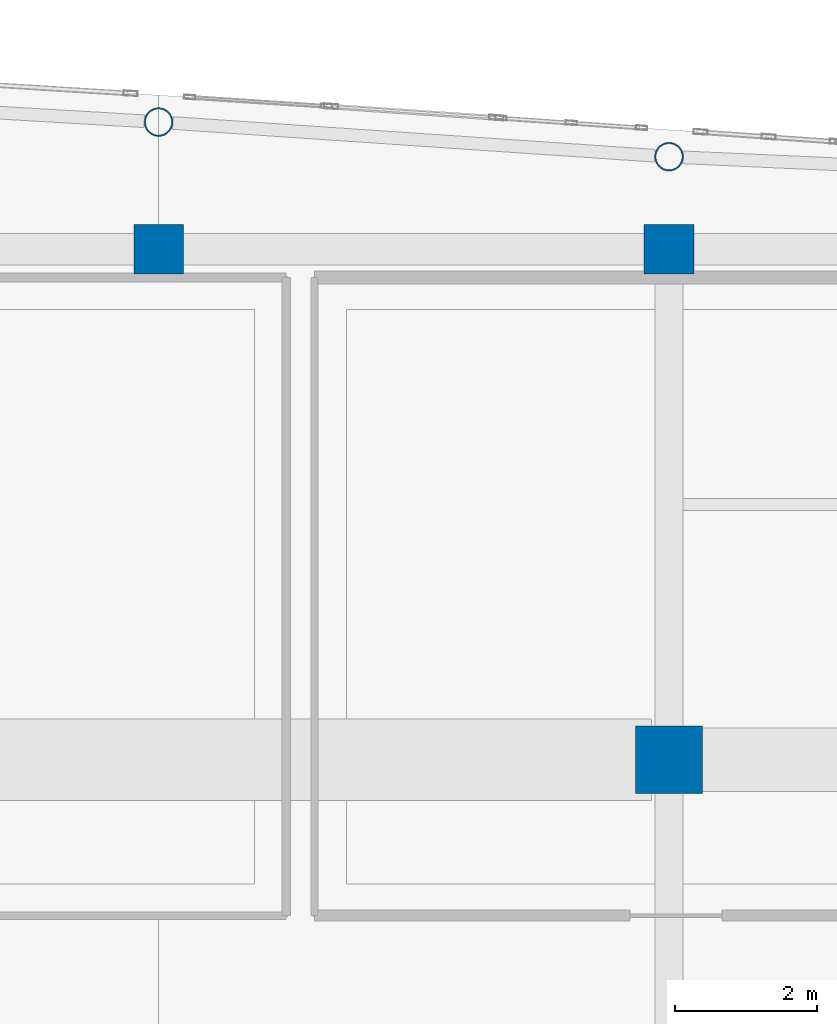
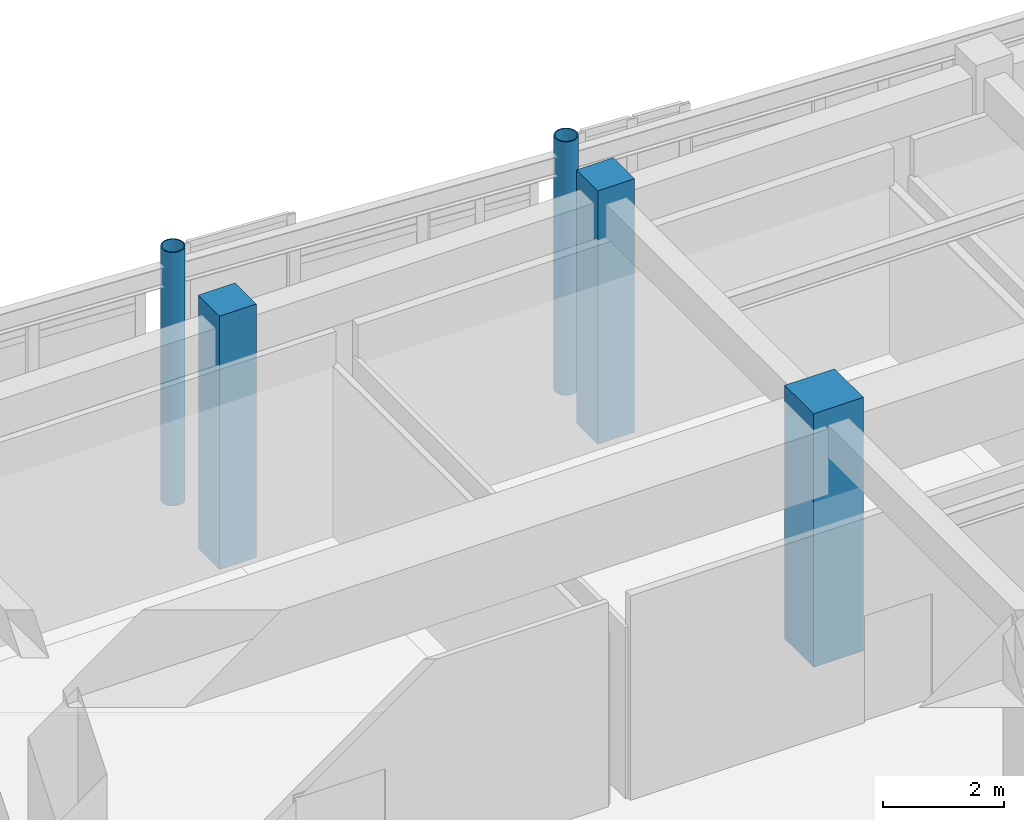
# One storey, part 10 of 117: 5 columns.
"""IFC4 building model written with IfcOpenShell, lengths in metres."""

import ifcopenshell
import ifcopenshell.guid

model = None  # the IFC model being written
_history = None  # IfcOwnerHistory: only IFC2X3 demands one
_inside = {}  # id of a spatial element -> (the spatial element, [elements in it])
_under = {}  # id of a project, library or spatial element -> (it, [spatial elements below it])
_declared = {}  # id of a project -> (the project, [libraries it declares])
_typed = {}  # id of a type object -> (the type object, [elements of that type])
_made_of = {}  # id of a material, layer set ... -> (it, [elements and type objects made of it])


def new_model(schema):
    """Start an empty IFC model of exactly this schema.

    Asked for "IFC4X3", IfcOpenShell would pick the latest addendum, in which some entities
    have other attributes; the version numbers below select the first issue.
    IFC2X3 requires an IfcOwnerHistory on every rooted entity: one is made here for all.
    """
    global model, _history
    if schema == "IFC4X3":
        model = ifcopenshell.file(schema_version=(4, 3, 0, 0))
    else:
        model = ifcopenshell.file(schema=schema)
    _inside.clear()
    _under.clear()
    _declared.clear()
    _typed.clear()
    _made_of.clear()
    _history = None
    if model.schema == "IFC2X3":
        org = make("IfcOrganization", Name="unknown")
        user = make(
            "IfcPersonAndOrganization",
            ThePerson=make("IfcPerson", FamilyName="unknown"),
            TheOrganization=org,
        )
        app = make(
            "IfcApplication",
            ApplicationDeveloper=org,
            Version="unknown",
            ApplicationFullName="unknown",
            ApplicationIdentifier="unknown",
        )
        _history = make(
            "IfcOwnerHistory",
            OwningUser=user,
            OwningApplication=app,
            ChangeAction="ADDED",
            CreationDate=0,
        )
    return model


def make(cls, **values):
    """One entity of the class cls with the attributes given. An attribute that is None is left unset."""
    return model.create_entity(
        cls, **{name: value for name, value in values.items() if value is not None}
    )


def rooted(cls, **values):
    """An entity with a GlobalId (a new one), such as an element, a storey or a relation."""
    return make(cls, GlobalId=ifcopenshell.guid.new(), OwnerHistory=_history, **values)


def si_unit(unit_type, name, prefix=None):
    """IfcSIUnit, for example si_unit("LENGTHUNIT", "METRE", prefix="MILLI")."""
    return make("IfcSIUnit", UnitType=unit_type, Prefix=prefix, Name=name)


def assignment(units):
    """IfcUnitAssignment: the units of a project."""
    return None if units is None else make("IfcUnitAssignment", Units=units)


def point(xyz):
    """IfcCartesianPoint."""
    return None if xyz is None else make("IfcCartesianPoint", Coordinates=xyz)


def direction(xyz):
    """IfcDirection."""
    return None if xyz is None else make("IfcDirection", DirectionRatios=xyz)


def frame(location, z_axis=None, x_axis=None):
    """IfcAxis2Placement3D, a coordinate frame: its origin and axes. An axis left out is left unset."""
    return make(
        "IfcAxis2Placement3D",
        Location=point(location),
        Axis=direction(z_axis),
        RefDirection=direction(x_axis),
    )


def frame_2d(location, x_axis=None):
    """IfcAxis2Placement2D, a coordinate frame in the plane: its origin and x axis."""
    return make(
        "IfcAxis2Placement2D", Location=point(location), RefDirection=direction(x_axis)
    )


def origin():
    """The frame at (0, 0, 0) with its axes left unset."""
    return frame((0.0, 0.0, 0.0))


def origin_2d():
    """The frame at (0, 0) in the plane with its x axis left unset."""
    return frame_2d((0.0, 0.0))


def place(relative_to, where):
    """IfcLocalPlacement: puts the frame where relative to a parent placement (None: the world)."""
    return make(
        "IfcLocalPlacement", PlacementRelTo=relative_to, RelativePlacement=where
    )


def context(
    kind, dimensions, precision=None, world=None, true_north=None, identifier=None
):
    """IfcGeometricRepresentationContext, for example the 3D "Model" context."""
    return make(
        "IfcGeometricRepresentationContext",
        ContextIdentifier=identifier,
        ContextType=kind,
        CoordinateSpaceDimension=dimensions,
        Precision=precision,
        WorldCoordinateSystem=world,
        TrueNorth=true_north,
    )


def subcontext(parent, identifier, kind, view, scale=None):
    """IfcGeometricRepresentationSubContext, for example "Body" below "Model"."""
    return make(
        "IfcGeometricRepresentationSubContext",
        ContextIdentifier=identifier,
        ContextType=kind,
        ParentContext=parent,
        TargetScale=scale,
        TargetView=view,
    )


def project(units=None, contexts=None):
    """IfcProject with its units and contexts."""
    return rooted(
        "IfcProject",
        Name="project",
        RepresentationContexts=contexts,
        UnitsInContext=assignment(units),
    )


def spatial(cls, under=None, at=None, **own):
    """A site, building, storey or space (cls), placed at a placement, below another one or the project."""
    s = rooted(cls, ObjectPlacement=at, **own)
    if under is not None:
        _under.setdefault(under.id(), (under, []))[1].append(s)
    return s


def profile(cls, at=None, kind="AREA", **sizes):
    """A parametric profile (cls). Its sizes go by their IFC names, for example OverallWidth=200.0."""
    return make(cls, ProfileType=kind, Position=at, **sizes)


def rectangle(**sizes):
    """IfcRectangleProfileDef."""
    return profile("IfcRectangleProfileDef", **sizes)


def hollow_circle(**sizes):
    """IfcCircleHollowProfileDef."""
    return profile("IfcCircleHollowProfileDef", **sizes)


def extrude(swept, where, along, depth):
    """IfcExtrudedAreaSolid: the profile swept, set in the frame where, extruded along a direction by depth."""
    return make(
        "IfcExtrudedAreaSolid",
        SweptArea=swept,
        Position=where,
        ExtrudedDirection=direction(along),
        Depth=depth,
    )


def shape(context_of_items, identifier, shape_type, items):
    """IfcShapeRepresentation: the items that make up one representation, for example the "Body"."""
    return make(
        "IfcShapeRepresentation",
        ContextOfItems=context_of_items,
        RepresentationIdentifier=identifier,
        RepresentationType=shape_type,
        Items=items,
    )


def material(Name=None, Category=None):
    """IfcMaterial."""
    return make("IfcMaterial", Name=Name, Category=Category)


def material_profile(
    of_material, cross_section, Name=None, Category=None, Priority=None
):
    """IfcMaterialProfile: a cross section and its material."""
    return make(
        "IfcMaterialProfile",
        Name=Name,
        Material=of_material,
        Profile=cross_section,
        Priority=Priority,
        Category=Category,
    )


def profile_set(profiles, Name=None, composite=None):
    """IfcMaterialProfileSet."""
    return make(
        "IfcMaterialProfileSet",
        Name=Name,
        MaterialProfiles=profiles,
        CompositeProfile=composite,
    )


def made_of(thing, what):
    """Note that an element or type object is made of a material, layer set ...; save() writes the relation."""
    if what is not None:
        _made_of.setdefault(what.id(), (what, []))[1].append(thing)
    return thing


def type_object(cls, material=None, **own):
    """A type object (cls), such as IfcWallType, which elements share."""
    return made_of(rooted(cls, **own), material)


def element(
    cls,
    number,
    at=None,
    inside=None,
    cuts=None,
    type_object=None,
    material=None,
    context=None,
    identifier="Body",
    shape_type=None,
    held_by="IfcProductDefinitionShape",
    body=None,
    shapes=None,
    **own,
):
    """One element of the class cls, such as IfcWall. Its Tag is "e" and its number.

    at: its placement. inside: the storey or other place that contains it. cuts: it is an
    opening in that element (IfcRelVoidsElement). A single representation is given by context,
    identifier, shape_type and body (its items); several are given by shapes. held_by: the class
    of the entity that holds the representations. save() writes the other relations.
    """
    e = rooted(cls, Tag="e%d" % number, ObjectPlacement=at, **own)
    if body is not None:
        shapes = [shape(context, identifier, shape_type, body)]
    if shapes is not None:
        e.Representation = make(held_by, Representations=shapes)
    if inside is not None:
        _inside.setdefault(inside.id(), (inside, []))[1].append(e)
    if cuts is not None:
        rooted(
            "IfcRelVoidsElement", RelatingBuildingElement=cuts, RelatedOpeningElement=e
        )
    if type_object is not None:
        _typed.setdefault(type_object.id(), (type_object, []))[1].append(e)
    return made_of(e, material)


def aggregate(whole, parts):
    """IfcRelAggregates: a whole, such as a stair, and the parts it consists of."""
    return rooted("IfcRelAggregates", RelatingObject=whole, RelatedObjects=parts)


def save(model, path):
    """Write the relations noted so far, then the file.

    IfcRelAggregates (storeys below a building ...), IfcRelContainedInSpatialStructure (elements
    in a storey), IfcRelDefinesByType, IfcRelAssociatesMaterial and IfcRelDeclares: one each for
    every whole, place, type object, material and project.
    """
    for whole, parts in _under.values():
        aggregate(whole, parts)
    for where, things in _inside.values():
        rooted(
            "IfcRelContainedInSpatialStructure",
            RelatedElements=things,
            RelatingStructure=where,
        )
    for kind, things in _typed.values():
        rooted("IfcRelDefinesByType", RelatedObjects=things, RelatingType=kind)
    for what, things in _made_of.values():
        rooted("IfcRelAssociatesMaterial", RelatedObjects=things, RelatingMaterial=what)
    for by, libraries in _declared.values():
        rooted("IfcRelDeclares", RelatingContext=by, RelatedDefinitions=libraries)
    model.write(path)


model = new_model("IFC4")

# Units and contexts
model_context = context("Model", 3, precision=1e-05, world=origin(), true_north=direction((0.0, 1.0)))
body_context = subcontext(model_context, "Body", "Model", "MODEL_VIEW")
ifc_project = project(units=[si_unit("LENGTHUNIT", "METRE"), si_unit("AREAUNIT", "SQUARE_METRE"), si_unit("VOLUMEUNIT", "CUBIC_METRE"), si_unit("PLANEANGLEUNIT", "RADIAN"), si_unit("MASSUNIT", "GRAM", prefix="KILO")], contexts=[model_context])

# Site, building, storey
site_placement = place(None, origin())
site = spatial("IfcSite", under=ifc_project, at=site_placement, CompositionType="ELEMENT")
building_placement = place(site_placement, origin())
building = spatial("IfcBuilding", under=site, at=building_placement, Name="Carrowvane Square Congress Hotel", CompositionType="ELEMENT")
storey_placement = place(building_placement, frame((0.0, 0.0, 5.39990234375)))
storey = spatial("IfcBuildingStorey", under=building, at=storey_placement, Name="L01", CompositionType="ELEMENT", Elevation=5.39990234375)

# Columns
ifc_material_1 = material(Name="Concrete C40/50", Category="concrete")
ifc_material_profile_1 = material_profile(ifc_material_1, rectangle(XDim=0.699951171875, YDim=0.699951171875, at=origin_2d()), Name="RC 700x700")
ifc_profile_set_1 = profile_set([ifc_material_profile_1], Name="Concrete C40/50")
column_type_1 = type_object("IfcColumnType", Name="COL-RC-700", PredefinedType="COLUMN", material=ifc_profile_set_1)
for number, where, z_axis, x_axis, name in (
    (1, (126.800048828125, 113.39990234375, 0.0), (0.0, 0.0, 1.0), (1.0, 0.0, 0.0), "L01 column 17/R"),
    (2, (134.0, 113.39990234375, 0.0), (0.0, 0.0, 1.0), (1.0, 0.0, 0.0), "L01 column 18/R"),
):
    element("IfcColumn", number, at=place(storey_placement, frame(where, z_axis=z_axis, x_axis=x_axis)), inside=storey, type_object=column_type_1, Name=name, PredefinedType="COLUMN", context=body_context, shape_type="SweptSolid", body=[
        extrude(rectangle(XDim=0.699951171875, YDim=0.699951171875, at=origin_2d()), origin(), (0.0, 0.0, 1.0), 5.10009765625),
    ])
ifc_material_2 = material(Name="Steel S355", Category="steel")
ifc_material_profile_2 = material_profile(ifc_material_2, hollow_circle(Radius=0.203125, WallThickness=0.02001953125, at=origin_2d()), Name="CHS 406.4x20")
ifc_profile_set_2 = profile_set([ifc_material_profile_2], Name="Steel S355")
column_type_2 = type_object("IfcColumnType", Name="COL-ST-CHS406", PredefinedType="COLUMN", material=ifc_profile_set_2)
for number, where, z_axis, x_axis, name in (
    (3, (126.800048828125, 115.1943359375, 0.0), (0.0, 0.0, 1.0), (1.0, 0.0, 0.0), "L01 column 17/ARC"),
    (4, (134.0, 114.7060546875, 0.0), (0.0, 0.0, 1.0), (1.0, 0.0, 0.0), "L01 column 18/ARC"),
):
    element("IfcColumn", number, at=place(storey_placement, frame(where, z_axis=z_axis, x_axis=x_axis)), inside=storey, type_object=column_type_2, Name=name, PredefinedType="COLUMN", context=body_context, shape_type="SweptSolid", body=[
        extrude(hollow_circle(Radius=0.203125, WallThickness=0.02001953125, at=origin_2d()), origin(), (0.0, 0.0, 1.0), 5.10009765625),
    ])
ifc_material_3 = material(Name="Concrete C40/50", Category="concrete")
ifc_material_profile_3 = material_profile(ifc_material_3, rectangle(XDim=0.949951171875, YDim=0.949951171875, at=origin_2d()), Name="RC 950x950")
ifc_profile_set_3 = profile_set([ifc_material_profile_3], Name="Concrete C40/50")
column_type_3 = type_object("IfcColumnType", Name="MCOL-RC-1000", PredefinedType="COLUMN", material=ifc_profile_set_3)
column_placement = place(storey_placement, frame((134.0, 106.199951171875, 0.0), z_axis=(0.0, 0.0, 1.0), x_axis=(1.0, 0.0, 0.0)))
element("IfcColumn", 5, at=column_placement, inside=storey, type_object=column_type_3, Name="L01 column 18/Q", PredefinedType="COLUMN", context=body_context, shape_type="SweptSolid", body=[
    extrude(rectangle(XDim=0.949951171875, YDim=0.949951171875, at=origin_2d()), origin(), (0.0, 0.0, 1.0), 5.10009765625),
])

save(model, "model.ifc")
